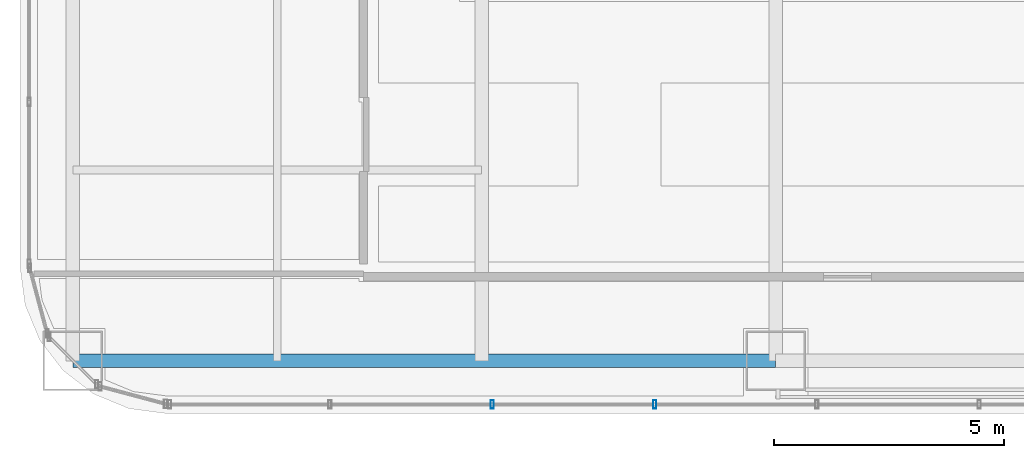
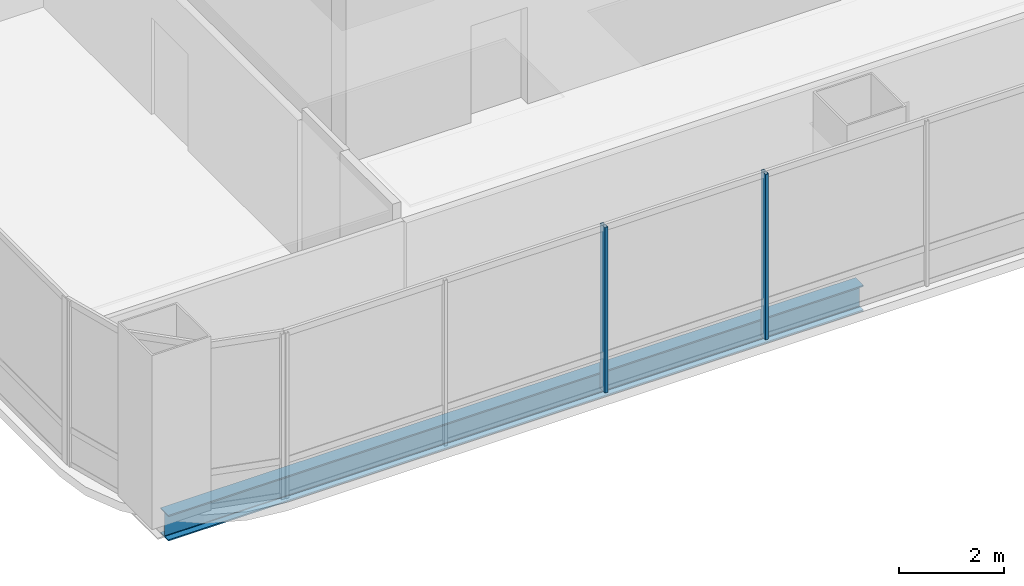
# One storey, part 3 of 40: 2 members, 1 beam, 1 element without a shape of its own.
"""IFC4 building model written with IfcOpenShell, lengths in metres."""

from ifc_helpers import new_model, si_unit, direction, frame, origin, origin_2d, place, context, subcontext, project, spatial, hollow_rectangle, i_section, extrude, material, material_profile, profile_set, type_object, element, aggregate, save


model = new_model("IFC4")

# Units and contexts
model_context = context("Model", 3, precision=1e-05, world=origin(), true_north=direction((0.0, 1.0)))
body_context = subcontext(model_context, "Body", "Model", "MODEL_VIEW")
ifc_project = project(units=[si_unit("LENGTHUNIT", "METRE"), si_unit("AREAUNIT", "SQUARE_METRE"), si_unit("VOLUMEUNIT", "CUBIC_METRE"), si_unit("PLANEANGLEUNIT", "RADIAN"), si_unit("MASSUNIT", "GRAM", prefix="KILO")], contexts=[model_context])

# Site, building, storey
site_placement = place(None, origin())
site = spatial("IfcSite", under=ifc_project, at=site_placement, CompositionType="ELEMENT")
building_placement = place(site_placement, origin())
building = spatial("IfcBuilding", under=site, at=building_placement, Name="Punatoya Terracotta Tower", CompositionType="ELEMENT")
storey_placement = place(building_placement, frame((0.0, 0.0, 271.64990234375)))
storey = spatial("IfcBuildingStorey", under=building, at=storey_placement, Name="L64", CompositionType="ELEMENT", Elevation=271.64990234375)

# Beam
ifc_material_1 = material(Name="Steel S355", Category="steel")
ifc_material_profile_1 = material_profile(ifc_material_1, i_section(OverallWidth=0.300048828125, OverallDepth=0.60009765625, WebThickness=0.015380859375, FlangeThickness=0.030029296875, FilletRadius=0.01806640625, at=origin_2d()))
ifc_profile_set_1 = profile_set([ifc_material_profile_1], Name="Steel S355")
beam_type = type_object("IfcBeamType", Name="BM-PRI-600", PredefinedType="BEAM", material=ifc_profile_set_1)
beam_placement = place(storey_placement, frame((-19.10009765625, -17.5, -0.5), z_axis=(1.0, 0.0, 0.0), x_axis=(0.0, 1.0, 0.0)))
element("IfcBeam", 1, at=beam_placement, inside=storey, type_object=beam_type, Name="BM-L64-RG-S1", PredefinedType="BEAM", context=body_context, shape_type="SweptSolid", body=[
    extrude(i_section(OverallWidth=0.300048828125, OverallDepth=0.60009765625, WebThickness=0.015380859375, FlangeThickness=0.030029296875, FilletRadius=0.01806640625, at=origin_2d()), origin(), (0.0, 0.0, 1.0), 15.300048828125),
])

# Curtain wall, members
ifc_material_2 = material(Name="Aluminium 6063-T6 + Double Low-E Glass", Category="aluminium")
curtain_wall_type = type_object("IfcCurtainWallType", Name="CW-M3", PredefinedType="NOTDEFINED", material=ifc_material_2)
curtain_wall_placement = place(storey_placement, origin())
curtain_wall = element("IfcCurtainWall", 2, at=curtain_wall_placement, inside=storey, type_object=curtain_wall_type, Name="L64 Curtain Wall CW-L64-S01-1", PredefinedType="NOTDEFINED")
ifc_material_3 = material(Name="Aluminium 6063-T6", Category="aluminium")
ifc_material_profile_2 = material_profile(ifc_material_3, hollow_rectangle(XDim=0.070068359375, YDim=0.179931640625, WallThickness=0.00390625, at=origin_2d()))
ifc_profile_set_2 = profile_set([ifc_material_profile_2], Name="Aluminium 6063-T6")
member_type = type_object("IfcMemberType", Name="CW-MUL-M3", PredefinedType="MULLION", material=ifc_profile_set_2)
member_1_placement = place(storey_placement, frame((-9.968994140625, -18.449951171875, 0.0), z_axis=(0.0, 0.0, 1.0), x_axis=(1.0, 0.0, 0.0)))
member_1 = element("IfcMember", 3, at=member_1_placement, type_object=member_type, Name="CW-L64-S01-1 Mullion 02", PredefinedType="MULLION", context=body_context, shape_type="SweptSolid", body=[
    extrude(hollow_rectangle(XDim=0.070068359375, YDim=0.179931640625, WallThickness=0.00390625, at=origin_2d()), origin(), (0.0, 0.0, 1.0), 3.85009765625),
])
member_2_placement = place(storey_placement, frame((-6.43505859375, -18.449951171875, 0.0), z_axis=(0.0, 0.0, 1.0), x_axis=(1.0, 0.0, 0.0)))
member_2 = element("IfcMember", 4, at=member_2_placement, type_object=member_type, Name="CW-L64-S01-1 Mullion 03", PredefinedType="MULLION", context=body_context, shape_type="SweptSolid", body=[
    extrude(hollow_rectangle(XDim=0.070068359375, YDim=0.179931640625, WallThickness=0.00390625, at=origin_2d()), origin(), (0.0, 0.0, 1.0), 3.85009765625),
])
aggregate(curtain_wall, [member_1, member_2])

save(model, "model.ifc")
